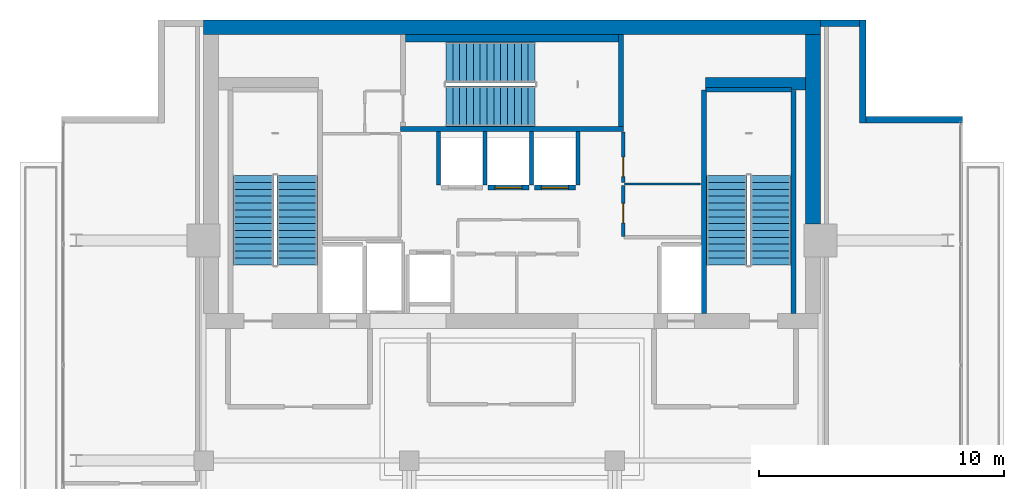
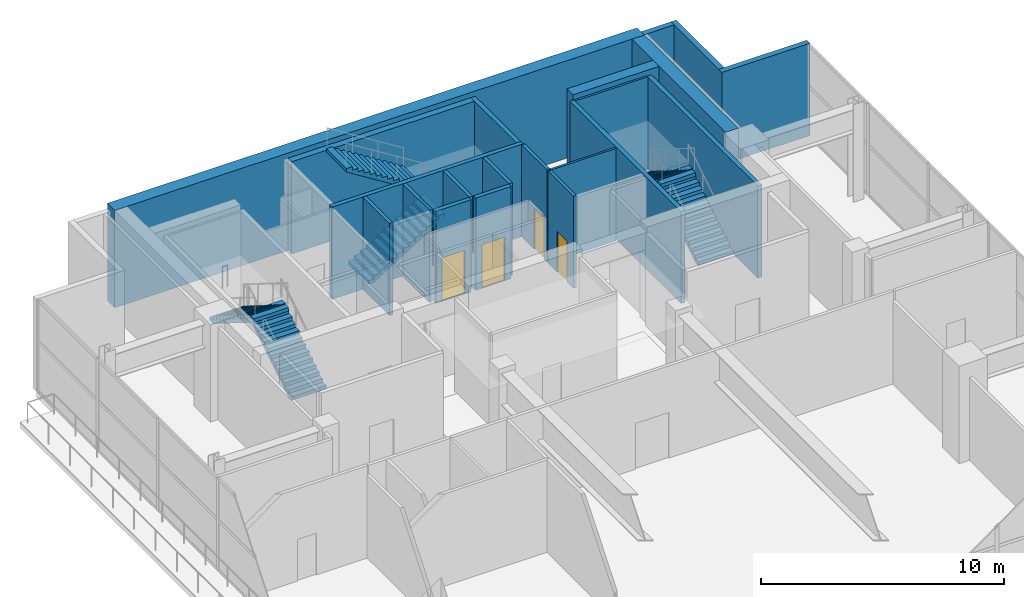
# One storey, part 18 of 22: 21 walls, 6 stair flights, 4 doors, 4 openings, 3 elements without a shape of their own.
"""IFC4 building model written with IfcOpenShell, lengths in metres."""

from ifc_helpers import new_model, si_unit, direction, frame, frame_2d, origin, place, context, subcontext, project, spatial, polyline, rectangle, outline, extrude, material, layer, layer_set, type_object, element, fill, aggregate, save


model = new_model("IFC4")

# Units and contexts
model_context = context("Model", 3, precision=1e-05, world=origin(), true_north=direction((0.0, 1.0)))
body_context = subcontext(model_context, "Body", "Model", "MODEL_VIEW")
ifc_project = project(units=[si_unit("LENGTHUNIT", "METRE"), si_unit("AREAUNIT", "SQUARE_METRE"), si_unit("VOLUMEUNIT", "CUBIC_METRE"), si_unit("PLANEANGLEUNIT", "RADIAN"), si_unit("MASSUNIT", "GRAM", prefix="KILO")], contexts=[model_context])

# Site, building, storey
site_placement = place(None, origin())
site = spatial("IfcSite", under=ifc_project, at=site_placement, CompositionType="ELEMENT")
building_placement = place(site_placement, origin())
building = spatial("IfcBuilding", under=site, at=building_placement, Name="Maruvema Waterfront Hotel and Observation Tower", CompositionType="ELEMENT")
storey_placement = place(building_placement, frame((0.0, 0.0, 354.199951171875)))
storey = spatial("IfcBuildingStorey", under=building, at=storey_placement, Name="L87", CompositionType="ELEMENT", Elevation=354.199951171875)

# Wall, opening, door
ifc_material_1 = material(Name="Twin-stud acoustic gypsum drywall", Category="gypsum")
ifc_layer_1 = layer(ifc_material_1, 0.14990234375, Name="Acoustic Corridor and Suite Demising Wall 150 mm")
ifc_layer_set_1 = layer_set([ifc_layer_1], Name="Twin-stud acoustic gypsum drywall")
wall_type_1 = type_object("IfcWallType", Name="Acoustic Corridor and Suite Demising Wall 150 mm", PredefinedType="PARTITIONING", material=ifc_layer_set_1)
wall_1_placement = place(storey_placement, frame((42.340087890625, 45.159912109375, 0.0), z_axis=(0.0, 0.0, 1.0), x_axis=(0.0, 1.0, 0.0)))
wall_1 = element("IfcWall", 1, at=wall_1_placement, inside=storey, type_object=wall_type_1, Name="L87 Freed B2 West S 021", PredefinedType="PARTITIONING", context=body_context, shape_type="SweptSolid", body=[
    extrude(rectangle(XDim=2.080078125, YDim=0.14990234375, at=frame_2d((1.0400390625, 0.0))), origin(), (0.0, 0.0, 1.0), 4.64013671875),
])
opening_1_placement = place(wall_1_placement, frame((0.550048828125, 0.0, 0.0)))
opening_1 = element("IfcOpeningElement", 2, at=opening_1_placement, cuts=wall_1, Name="Opening DR-080", PredefinedType="OPENING", context=body_context, shape_type="SweptSolid", body=[
    extrude(rectangle(XDim=0.800048828125, YDim=2.050048828125, at=frame_2d((0.39990234375, 1.02490234375))), frame((0.0, 0.0849609375, 0.0), z_axis=(0.0, -1.0, 0.0), x_axis=(1.0, 0.0, 0.0)), (0.0, 0.0, 1.0), 0.169921875),
])
ifc_material_2 = material(Name="Powder-coated steel access leaf", Category="steel")
door_type_1 = type_object("IfcDoorType", Name="Riser and Service Cupboard Door 800x2050 mm", OperationType="NOTDEFINED", PredefinedType="DOOR", material=ifc_material_2)
door_1_placement = place(opening_1_placement, frame((0.800048828125, 0.0, 0.0), z_axis=(0.0, 0.0, 1.0), x_axis=(-1.0, 0.0, 0.0)))
door_1 = element("IfcDoor", 3, at=door_1_placement, inside=storey, type_object=door_type_1, Name="L87 Butler Service Pantry Door", OperationType="SINGLE_SWING_RIGHT", OverallHeight=2.050048828125, OverallWidth=0.800048828125, PredefinedType="DOOR", context=body_context, shape_type="SweptSolid", body=[
    extrude(rectangle(XDim=0.800048828125, YDim=2.050048828125, at=frame_2d((0.39990234375, 1.02490234375))), frame((0.0, 0.02490234375, 0.0), z_axis=(0.0, -1.0, 0.0), x_axis=(1.0, 0.0, 0.0)), (0.0, 0.0, 1.0), 0.050048828125),
])
fill(opening_1, door_1)

wall_2_placement = place(storey_placement, frame((42.340087890625, 47.360107421875, 0.0), z_axis=(0.0, 0.0, 1.0), x_axis=(0.0, 1.0, 0.0)))
wall_2 = element("IfcWall", 4, at=wall_2_placement, inside=storey, type_object=wall_type_1, Name="L87 Freed B2 West N 022", PredefinedType="PARTITIONING", context=body_context, shape_type="SweptSolid", body=[
    extrude(rectangle(XDim=2.059814453125, YDim=0.14990234375, at=frame_2d((1.02978515625, 0.0))), origin(), (0.0, 0.0, 1.0), 4.64013671875),
])
opening_2_placement = place(wall_2_placement, frame((0.239990234375, 0.0, 0.0)))
opening_2 = element("IfcOpeningElement", 5, at=opening_2_placement, cuts=wall_2, Name="Opening DR-080", PredefinedType="OPENING", context=body_context, shape_type="SweptSolid", body=[
    extrude(rectangle(XDim=0.800048828125, YDim=2.050048828125, at=frame_2d((0.39990234375, 1.02490234375))), frame((0.0, 0.0849609375, 0.0), z_axis=(0.0, -1.0, 0.0), x_axis=(1.0, 0.0, 0.0)), (0.0, 0.0, 1.0), 0.169921875),
])
door_2_placement = place(opening_2_placement, frame((0.800048828125, 0.0, 0.0), z_axis=(0.0, 0.0, 1.0), x_axis=(-1.0, 0.0, 0.0)))
door_2 = element("IfcDoor", 6, at=door_2_placement, inside=storey, type_object=door_type_1, Name="L87 Core IT and Linen Store Door", OperationType="SINGLE_SWING_LEFT", OverallHeight=2.050048828125, OverallWidth=0.800048828125, PredefinedType="DOOR", context=body_context, shape_type="SweptSolid", body=[
    extrude(rectangle(XDim=0.800048828125, YDim=2.050048828125, at=frame_2d((0.39990234375, 1.02490234375))), frame((0.0, 0.02490234375, 0.0), z_axis=(0.0, -1.0, 0.0), x_axis=(1.0, 0.0, 0.0)), (0.0, 0.0, 1.0), 0.050048828125),
])
fill(opening_2, door_2)

# Walls
ifc_material_3 = material(Name="Precast concrete C45/55", Category="concrete")
ifc_layer_2 = layer(ifc_material_3, 0.300048828125, Name="Core Shaft Furring Wall 300 mm")
ifc_layer_set_2 = layer_set([ifc_layer_2], Name="Precast concrete C45/55")
wall_type_2 = type_object("IfcWallType", Name="Core Shaft Furring Wall 300 mm", PredefinedType="SOLIDWALL", material=ifc_layer_set_2)
wall_3_placement = place(storey_placement, frame((33.449951171875, 53.25, 0.0), z_axis=(0.0, 0.0, 1.0), x_axis=(1.0, 0.0, 0.0)))
element("IfcWall", 7, at=wall_3_placement, inside=storey, type_object=wall_type_2, Name="L87 Stairwell ST-02 North Furring Wall", PredefinedType="SOLIDWALL", context=body_context, shape_type="SweptSolid", body=[
    extrude(rectangle(XDim=8.699951171875, YDim=0.300048828125, at=frame_2d((4.35009765625, 0.0))), origin(), (0.0, 0.0, 1.0), 4.64013671875),
])
ifc_material_4 = material(Name="Precast concrete C45/55", Category="concrete")
ifc_layer_3 = layer(ifc_material_4, 0.199951171875, Name="Core Shaft and Stairwell Enclosure Wall 200 mm")
ifc_layer_set_3 = layer_set([ifc_layer_3], Name="Precast concrete C45/55")
wall_type_3 = type_object("IfcWallType", Name="Core Shaft and Stairwell Enclosure Wall 200 mm", PredefinedType="SOLIDWALL", material=ifc_layer_set_3)
wall_4_placement = place(storey_placement, frame((33.25, 49.550048828125, 0.0), z_axis=(0.0, 0.0, 1.0), x_axis=(1.0, 0.0, 0.0)))
element("IfcWall", 8, at=wall_4_placement, inside=storey, type_object=wall_type_3, Name="L87 Stairwell ST-02 Shaft Wall", PredefinedType="SOLIDWALL", context=body_context, shape_type="SweptSolid", body=[
    extrude(rectangle(XDim=9.10009765625, YDim=0.199951171875, at=frame_2d((4.550048828125, 0.0))), origin(), (0.0, 0.0, 1.0), 4.64013671875),
])
wall_5_placement = place(storey_placement, frame((42.25, 49.64990234375, 0.0), z_axis=(0.0, 0.0, 1.0), x_axis=(0.0, 1.0, 0.0)))
element("IfcWall", 9, at=wall_5_placement, inside=storey, type_object=wall_type_3, Name="L87 Stairwell ST-02 Shaft Wall", PredefinedType="SOLIDWALL", context=body_context, shape_type="SweptSolid", body=[
    extrude(rectangle(XDim=3.75, YDim=0.199951171875, at=frame_2d((1.875, 0.0))), origin(), (0.0, 0.0, 1.0), 4.64013671875),
])
wall_6_placement = place(storey_placement, frame((45.64990234375, 42.0, 0.0), z_axis=(0.0, 0.0, 1.0), x_axis=(0.0, 1.0, 0.0)))
element("IfcWall", 10, at=wall_6_placement, inside=storey, type_object=wall_type_3, Name="L87 Stairwell ST-03 West Shaft Wall", PredefinedType="SOLIDWALL", context=body_context, shape_type="SweptSolid", body=[
    extrude(rectangle(XDim=9.14990234375, YDim=0.199951171875, at=frame_2d((4.574951171875, 0.0))), origin(), (0.0, 0.0, 1.0), 4.64013671875),
])
wall_7_placement = place(storey_placement, frame((49.300048828125, 42.0, 0.0), z_axis=(0.0, 0.0, 1.0), x_axis=(0.0, 1.0, 0.0)))
element("IfcWall", 11, at=wall_7_placement, inside=storey, type_object=wall_type_3, Name="L87 Stairwell ST-03 Shaft Lining Wall", PredefinedType="SOLIDWALL", context=body_context, shape_type="SweptSolid", body=[
    extrude(rectangle(XDim=9.1201171875, YDim=0.199951171875, at=frame_2d((4.56005859375, 0.0))), origin(), (0.0, 0.0, 1.0), 4.64013671875),
])
wall_8_placement = place(storey_placement, frame((45.719970703125, 51.14990234375, 0.0), z_axis=(0.0, 0.0, 1.0), x_axis=(1.0, 0.0, 0.0)))
element("IfcWall", 12, at=wall_8_placement, inside=storey, type_object=wall_type_3, Name="L87 Stairwell ST-03 Shaft Lining Wall", PredefinedType="SOLIDWALL", context=body_context, shape_type="SweptSolid", body=[
    extrude(rectangle(XDim=3.5, YDim=0.199951171875, at=frame_2d((1.75, 0.0))), origin(), (0.0, 0.0, 1.0), 4.64013671875),
])

# Wall, opening, door
wall_9_placement = place(storey_placement, frame((36.81005859375, 47.14990234375, 0.0), z_axis=(0.0, 0.0, 1.0), x_axis=(1.0, 0.0, 0.0)))
wall_9 = element("IfcWall", 13, at=wall_9_placement, inside=storey, type_object=wall_type_3, Name="L87 Lift LF-13 Hoistway Front Wall", PredefinedType="SOLIDWALL", context=body_context, shape_type="SweptSolid", body=[
    extrude(rectangle(XDim=1.679931640625, YDim=0.199951171875, at=frame_2d((0.83984375, 0.0))), origin(), (0.0, 0.0, 1.0), 4.64013671875),
])
opening_3_placement = place(wall_9_placement, frame((0.2900390625, 0.0, 0.0)))
opening_3 = element("IfcOpeningElement", 14, at=opening_3_placement, cuts=wall_9, Name="Opening LD-02", PredefinedType="OPENING", context=body_context, shape_type="SweptSolid", body=[
    extrude(rectangle(XDim=1.10009765625, YDim=2.199951171875, at=frame_2d((0.550048828125, 1.10009765625))), frame((0.0, 0.10986328125, 0.0), z_axis=(0.0, -1.0, 0.0), x_axis=(1.0, 0.0, 0.0)), (0.0, 0.0, 1.0), 0.219970703125),
])
ifc_material_5 = material(Name="Brushed stainless steel Grade 316", Category="steel")
door_type_2 = type_object("IfcDoorType", Name="Shuttle Lift Sliding Landing Door 1100x2200 mm", OperationType="SLIDING_TO_RIGHT", PredefinedType="DOOR", material=ifc_material_5)
door_3_placement = place(opening_3_placement, frame((1.10009765625, 0.0, 0.0), z_axis=(0.0, 0.0, 1.0), x_axis=(-1.0, 0.0, 0.0)))
door_3 = element("IfcDoor", 15, at=door_3_placement, inside=storey, type_object=door_type_2, Name="L87 Lift LF-13 Sliding Landing Door", OperationType="SLIDING_TO_RIGHT", OverallHeight=2.199951171875, OverallWidth=1.10009765625, PredefinedType="DOOR", context=body_context, shape_type="SweptSolid", body=[
    extrude(rectangle(XDim=1.10009765625, YDim=2.199951171875, at=frame_2d((0.550048828125, 1.10009765625))), frame((0.0, 0.02490234375, 0.0), z_axis=(0.0, -1.0, 0.0), x_axis=(1.0, 0.0, 0.0)), (0.0, 0.0, 1.0), 0.050048828125),
])
fill(opening_3, door_3)

wall_10_placement = place(storey_placement, frame((38.7099609375, 47.14990234375, 0.0), z_axis=(0.0, 0.0, 1.0), x_axis=(1.0, 0.0, 0.0)))
wall_10 = element("IfcWall", 16, at=wall_10_placement, inside=storey, type_object=wall_type_3, Name="L87 Lift LF-14 Hoistway Front Wall", PredefinedType="SOLIDWALL", context=body_context, shape_type="SweptSolid", body=[
    extrude(rectangle(XDim=1.679931640625, YDim=0.199951171875, at=frame_2d((0.83984375, 0.0))), origin(), (0.0, 0.0, 1.0), 4.64013671875),
])
opening_4_placement = place(wall_10_placement, frame((0.2900390625, 0.0, 0.0)))
opening_4 = element("IfcOpeningElement", 17, at=opening_4_placement, cuts=wall_10, Name="Opening LD-02", PredefinedType="OPENING", context=body_context, shape_type="SweptSolid", body=[
    extrude(rectangle(XDim=1.10009765625, YDim=2.199951171875, at=frame_2d((0.550048828125, 1.10009765625))), frame((0.0, 0.10986328125, 0.0), z_axis=(0.0, -1.0, 0.0), x_axis=(1.0, 0.0, 0.0)), (0.0, 0.0, 1.0), 0.219970703125),
])
door_4_placement = place(opening_4_placement, frame((1.10009765625, 0.0, 0.0), z_axis=(0.0, 0.0, 1.0), x_axis=(-1.0, 0.0, 0.0)))
door_4 = element("IfcDoor", 18, at=door_4_placement, inside=storey, type_object=door_type_2, Name="L87 Lift LF-14 Sliding Landing Door", OperationType="SLIDING_TO_RIGHT", OverallHeight=2.199951171875, OverallWidth=1.10009765625, PredefinedType="DOOR", context=body_context, shape_type="SweptSolid", body=[
    extrude(rectangle(XDim=1.10009765625, YDim=2.199951171875, at=frame_2d((0.550048828125, 1.10009765625))), frame((0.0, 0.02490234375, 0.0), z_axis=(0.0, -1.0, 0.0), x_axis=(1.0, 0.0, 0.0)), (0.0, 0.0, 1.0), 0.050048828125),
])
fill(opening_4, door_4)

# Walls
ifc_material_6 = material(Name="Concrete C70/85", Category="concrete")
ifc_layer_4 = layer(ifc_material_6, 0.5, Name="Core Shear Wall 500 mm")
ifc_layer_set_4 = layer_set([ifc_layer_4], Name="Concrete C70/85")
wall_type_4 = type_object("IfcWallType", Name="Core Shear Wall 500 mm", PredefinedType="SHEAR", material=ifc_layer_set_4)
wall_11_placement = place(storey_placement, frame((45.699951171875, 51.39990234375, 0.0), z_axis=(0.0, 0.0, 1.0), x_axis=(1.0, 0.0, 0.0)))
element("IfcWall", 19, at=wall_11_placement, inside=storey, type_object=wall_type_4, Name="L87 Internal Core Shear Wall NE 500 mm", PredefinedType="SHEAR", context=body_context, shape_type="SweptSolid", body=[
    extrude(rectangle(XDim=4.10009765625, YDim=0.5, at=frame_2d((2.050048828125, 0.0))), origin(), (0.0, 0.0, 1.0), 4.900146484375),
])
ifc_material_7 = material(Name="Concrete C60/75", Category="concrete")
ifc_layer_5 = layer(ifc_material_7, 0.60009765625, Name="Core Shear Wall 600 mm")
ifc_layer_set_5 = layer_set([ifc_layer_5], Name="Concrete C60/75")
wall_type_5 = type_object("IfcWallType", Name="Core Shear Wall 600 mm", PredefinedType="SHEAR", material=ifc_layer_set_5)
wall_12_placement = place(storey_placement, frame((25.199951171875, 53.699951171875, 0.0), z_axis=(0.0, 0.0, 1.0), x_axis=(1.0, 0.0, 0.0)))
element("IfcWall", 20, at=wall_12_placement, inside=storey, type_object=wall_type_5, Name="L87 North Core Shear Wall", PredefinedType="SHEAR", context=body_context, shape_type="SweptSolid", body=[
    extrude(rectangle(XDim=25.199951171875, YDim=0.60009765625, at=frame_2d((12.60009765625, 0.0))), origin(), (0.0, 0.0, 1.0), 4.900146484375),
])
wall_13_placement = place(storey_placement, frame((50.10009765625, 45.675048828125, 0.0), z_axis=(0.0, 0.0, 1.0), x_axis=(0.0, 1.0, 0.0)))
element("IfcWall", 21, at=wall_13_placement, inside=storey, type_object=wall_type_5, Name="L87 East-North Core Shear Wall", PredefinedType="SHEAR", context=body_context, shape_type="SweptSolid", body=[
    extrude(rectangle(XDim=7.724853515625, YDim=0.60009765625, at=frame_2d((3.8623046875, 0.0))), origin(), (0.0, 0.0, 1.0), 4.900146484375),
])
ifc_material_8 = material(Name="Moisture-resistant cement-board drywall", Category="gypsum")
ifc_layer_6 = layer(ifc_material_8, 0.10009765625, Name="En-Suite Moisture-Resistant Partition 100 mm")
ifc_layer_set_6 = layer_set([ifc_layer_6], Name="Moisture-resistant cement-board drywall")
wall_type_6 = type_object("IfcWallType", Name="En-Suite Moisture-Resistant Partition 100 mm", PredefinedType="PARTITIONING", material=ifc_layer_set_6)
wall_14_placement = place(storey_placement, frame((42.39990234375, 47.300048828125, 0.0), z_axis=(0.0, 0.0, 1.0), x_axis=(1.0, 0.0, 0.0)))
element("IfcWall", 22, at=wall_14_placement, inside=storey, type_object=wall_type_6, Name="L87 Freed B2 Split 023", PredefinedType="PARTITIONING", context=body_context, shape_type="SweptSolid", body=[
    extrude(rectangle(XDim=3.10009765625, YDim=0.10009765625, at=frame_2d((1.550048828125, 0.0))), origin(), (0.0, 0.0, 1.0), 4.64013671875),
])
ifc_material_9 = material(Name="Precast concrete C45/55 with honed Pernambuco granite facing", Category="masonry")
ifc_layer_7 = layer(ifc_material_9, 0.260009765625, Name="Exterior Granite Clad Spandrel and Pier Wall 260 mm")
ifc_layer_set_7 = layer_set([ifc_layer_7], Name="Precast concrete C45/55 with honed Pernambuco granite facing")
wall_type_7 = type_object("IfcWallType", Name="Exterior Granite Clad Spandrel and Pier Wall 260 mm", PredefinedType="SOLIDWALL", material=ifc_layer_set_7)
for number, where, z_axis, x_axis, name in (
    (23, (52.1298828125, 54.0, 0.0), (0.0, 0.0, 1.0), (0.0, -1.0, 0.0), "L87 Corner Notch Granite Pier Wall NE1"),
    (24, (52.0, 49.929931640625, 0.0), (0.0, 0.0, 1.0), (1.0, 0.0, 0.0), "L87 Corner Notch Granite Pier Wall NE2"),
):
    element("IfcWall", number, at=place(storey_placement, frame(where, z_axis=z_axis, x_axis=x_axis)), inside=storey, type_object=wall_type_7, Name=name, PredefinedType="SOLIDWALL", context=body_context, shape_type="SweptSolid", body=[
        extrude(rectangle(XDim=4.199951171875, YDim=0.260009765625, at=frame_2d((2.10009765625, 0.0))), origin(), (0.0, 0.0, 1.0), 4.64013671875),
    ])
wall_15_placement = place(storey_placement, frame((52.0, 53.8701171875, 0.0), z_axis=(0.0, 0.0, 1.0), x_axis=(-1.0, 0.0, 0.0)))
element("IfcWall", 25, at=wall_15_placement, inside=storey, type_object=wall_type_7, Name="L87 North-East Core Flanking Pier Wall", PredefinedType="SOLIDWALL", context=body_context, shape_type="SweptSolid", body=[
    extrude(rectangle(XDim=1.60009765625, YDim=0.260009765625, at=frame_2d((0.800048828125, 0.0))), origin(), (0.0, 0.0, 1.0), 4.64013671875),
])
ifc_material_10 = material(Name="Precast concrete C45/55", Category="concrete")
ifc_layer_8 = layer(ifc_material_10, 0.159912109375, Name="Lift Hoistway Divider Wall 160 mm")
ifc_layer_set_8 = layer_set([ifc_layer_8], Name="Precast concrete C45/55")
wall_type_8 = type_object("IfcWallType", Name="Lift Hoistway Divider Wall 160 mm", PredefinedType="SOLIDWALL", material=ifc_layer_set_8)
for number, where, z_axis, x_axis, name in (
    (26, (34.800048828125, 47.25, 0.0), (0.0, 0.0, 1.0), (0.0, 1.0, 0.0), "L87 Hoistway Divider Wall"),
    (27, (36.699951171875, 47.25, 0.0), (0.0, 0.0, 1.0), (0.0, 1.0, 0.0), "L87 Hoistway Divider Wall"),
    (28, (38.60009765625, 47.25, 0.0), (0.0, 0.0, 1.0), (0.0, 1.0, 0.0), "L87 Hoistway Divider Wall"),
    (29, (40.5, 47.25, 0.0), (0.0, 0.0, 1.0), (0.0, 1.0, 0.0), "L87 Hoistway Divider Wall"),
):
    element("IfcWall", number, at=place(storey_placement, frame(where, z_axis=z_axis, x_axis=x_axis)), inside=storey, type_object=wall_type_8, Name=name, PredefinedType="SOLIDWALL", context=body_context, shape_type="SweptSolid", body=[
        extrude(rectangle(XDim=2.18994140625, YDim=0.159912109375, at=frame_2d((1.094970703125, 0.0))), origin(), (0.0, 0.0, 1.0), 4.64013671875),
    ])

# Stair, stair flights
ifc_material_11 = material(Name="Concrete C50/60", Category="concrete")
stair_type = type_object("IfcStairType", Name="Dogleg Exit Stair 1650 mm (28R x 175.0 mm)", PredefinedType="HALF_TURN_STAIR", material=ifc_material_11)
stair_1_placement = place(storey_placement, origin())
stair_1 = element("IfcStair", 30, at=stair_1_placement, inside=storey, type_object=stair_type, Name="L87 ST-01", PredefinedType="HALF_TURN_STAIR")
ifc_material_12 = material(Name="Concrete C50/60", Category="concrete")
stair_flight_type = type_object("IfcStairFlightType", Name="Reinforced Concrete Stair Flight 1650 mm (14R x 175.0 mm)", PredefinedType="STRAIGHT", material=ifc_material_12)
stair_flight_1_placement = place(storey_placement, frame((29.02490234375, 44.0, 0.0), z_axis=(0.0, 0.0, 1.0), x_axis=(0.0, 1.0, 0.0)))
stair_flight_1 = element("IfcStairFlight", 31, at=stair_flight_1_placement, type_object=stair_flight_type, Name="ST-01 flight 1", NumberOfRisers=14, NumberOfTreads=13, PredefinedType="STRAIGHT", RiserHeight=0.175, TreadLength=0.28, context=body_context, shape_type="SweptSolid", body=[
    extrude(outline(polyline([(0.0, 0.0), (0.0, 0.175048828125), (0.280029296875, 0.175048828125), (0.280029296875, 0.35009765625), (0.56005859375, 0.35009765625), (0.56005859375, 0.52490234375), (0.840087890625, 0.52490234375), (0.840087890625, 0.699951171875), (1.1201171875, 0.699951171875), (1.1201171875, 0.875), (1.39990234375, 0.875), (1.39990234375, 1.050048828125), (1.679931640625, 1.050048828125), (1.679931640625, 1.22509765625), (1.9599609375, 1.22509765625), (1.9599609375, 1.39990234375), (2.239990234375, 1.39990234375), (2.239990234375, 1.574951171875), (2.52001953125, 1.574951171875), (2.52001953125, 1.75), (2.800048828125, 1.75), (2.800048828125, 1.925048828125), (3.080078125, 1.925048828125), (3.080078125, 2.10009765625), (3.360107421875, 2.10009765625), (3.360107421875, 2.27490234375), (3.639892578125, 2.27490234375), (3.639892578125, 2.449951171875), (3.639892578125, 2.09814453125), (0.28271484375, 0.0), (0.0, 0.0)])), frame((0.0, 0.824951171875, 0.0), z_axis=(0.0, -1.0, 0.0), x_axis=(1.0, 0.0, 0.0)), (0.0, 0.0, 1.0), 1.64990234375),
])
stair_flight_2_placement = place(storey_placement, frame((27.22509765625, 47.639892578125, 2.449951171875), z_axis=(0.0, 0.0, 1.0), x_axis=(0.0, -1.0, 0.0)))
stair_flight_2 = element("IfcStairFlight", 32, at=stair_flight_2_placement, type_object=stair_flight_type, Name="ST-01 flight 2", NumberOfRisers=14, NumberOfTreads=13, PredefinedType="STRAIGHT", RiserHeight=0.175, TreadLength=0.28, context=body_context, shape_type="SweptSolid", body=[
    extrude(outline(polyline([(0.0, 0.0), (0.0, 0.175048828125), (0.280029296875, 0.175048828125), (0.280029296875, 0.35009765625), (0.56005859375, 0.35009765625), (0.56005859375, 0.52490234375), (0.840087890625, 0.52490234375), (0.840087890625, 0.699951171875), (1.1201171875, 0.699951171875), (1.1201171875, 0.875), (1.39990234375, 0.875), (1.39990234375, 1.050048828125), (1.679931640625, 1.050048828125), (1.679931640625, 1.22509765625), (1.9599609375, 1.22509765625), (1.9599609375, 1.39990234375), (2.239990234375, 1.39990234375), (2.239990234375, 1.574951171875), (2.52001953125, 1.574951171875), (2.52001953125, 1.75), (2.800048828125, 1.75), (2.800048828125, 1.925048828125), (3.080078125, 1.925048828125), (3.080078125, 2.10009765625), (3.360107421875, 2.10009765625), (3.360107421875, 2.27490234375), (3.639892578125, 2.27490234375), (3.639892578125, 2.449951171875), (3.639892578125, 2.09814453125), (0.28271484375, 0.0), (0.0, 0.0)])), frame((0.0, 0.824951171875, 0.0), z_axis=(0.0, -1.0, 0.0), x_axis=(1.0, 0.0, 0.0)), (0.0, 0.0, 1.0), 1.64990234375),
])
aggregate(stair_1, [stair_flight_1, stair_flight_2])

stair_2_placement = place(storey_placement, origin())
stair_2 = element("IfcStair", 33, at=stair_2_placement, inside=storey, type_object=stair_type, Name="L87 ST-02", PredefinedType="HALF_TURN_STAIR")
stair_flight_3_placement = place(storey_placement, frame((35.10009765625, 50.47509765625, 0.0), z_axis=(0.0, 0.0, 1.0), x_axis=(1.0, 0.0, 0.0)))
stair_flight_3 = element("IfcStairFlight", 34, at=stair_flight_3_placement, type_object=stair_flight_type, Name="ST-02 flight 1", NumberOfRisers=14, NumberOfTreads=13, PredefinedType="STRAIGHT", RiserHeight=0.175, TreadLength=0.28, context=body_context, shape_type="SweptSolid", body=[
    extrude(outline(polyline([(0.0, 0.0), (0.0, 0.175048828125), (0.280029296875, 0.175048828125), (0.280029296875, 0.35009765625), (0.56005859375, 0.35009765625), (0.56005859375, 0.52490234375), (0.840087890625, 0.52490234375), (0.840087890625, 0.699951171875), (1.1201171875, 0.699951171875), (1.1201171875, 0.875), (1.39990234375, 0.875), (1.39990234375, 1.050048828125), (1.679931640625, 1.050048828125), (1.679931640625, 1.22509765625), (1.9599609375, 1.22509765625), (1.9599609375, 1.39990234375), (2.239990234375, 1.39990234375), (2.239990234375, 1.574951171875), (2.52001953125, 1.574951171875), (2.52001953125, 1.75), (2.800048828125, 1.75), (2.800048828125, 1.925048828125), (3.080078125, 1.925048828125), (3.080078125, 2.10009765625), (3.360107421875, 2.10009765625), (3.360107421875, 2.27490234375), (3.639892578125, 2.27490234375), (3.639892578125, 2.449951171875), (3.639892578125, 2.09814453125), (0.28271484375, 0.0), (0.0, 0.0)])), frame((0.0, 0.824951171875, 0.0), z_axis=(0.0, -1.0, 0.0), x_axis=(1.0, 0.0, 0.0)), (0.0, 0.0, 1.0), 1.64990234375),
])
stair_flight_4_placement = place(storey_placement, frame((38.739990234375, 52.27490234375, 2.449951171875), z_axis=(0.0, 0.0, 1.0), x_axis=(-1.0, 0.0, 0.0)))
stair_flight_4 = element("IfcStairFlight", 35, at=stair_flight_4_placement, type_object=stair_flight_type, Name="ST-02 flight 2", NumberOfRisers=14, NumberOfTreads=13, PredefinedType="STRAIGHT", RiserHeight=0.175, TreadLength=0.28, context=body_context, shape_type="SweptSolid", body=[
    extrude(outline(polyline([(0.0, 0.0), (0.0, 0.175048828125), (0.280029296875, 0.175048828125), (0.280029296875, 0.35009765625), (0.56005859375, 0.35009765625), (0.56005859375, 0.52490234375), (0.840087890625, 0.52490234375), (0.840087890625, 0.699951171875), (1.1201171875, 0.699951171875), (1.1201171875, 0.875), (1.39990234375, 0.875), (1.39990234375, 1.050048828125), (1.679931640625, 1.050048828125), (1.679931640625, 1.22509765625), (1.9599609375, 1.22509765625), (1.9599609375, 1.39990234375), (2.239990234375, 1.39990234375), (2.239990234375, 1.574951171875), (2.52001953125, 1.574951171875), (2.52001953125, 1.75), (2.800048828125, 1.75), (2.800048828125, 1.925048828125), (3.080078125, 1.925048828125), (3.080078125, 2.10009765625), (3.360107421875, 2.10009765625), (3.360107421875, 2.27490234375), (3.639892578125, 2.27490234375), (3.639892578125, 2.449951171875), (3.639892578125, 2.09814453125), (0.28271484375, 0.0), (0.0, 0.0)])), frame((0.0, 0.824951171875, 0.0), z_axis=(0.0, -1.0, 0.0), x_axis=(1.0, 0.0, 0.0)), (0.0, 0.0, 1.0), 1.64990234375),
])
aggregate(stair_2, [stair_flight_3, stair_flight_4])

stair_3_placement = place(storey_placement, origin())
stair_3 = element("IfcStair", 36, at=stair_3_placement, inside=storey, type_object=stair_type, Name="L87 ST-03", PredefinedType="HALF_TURN_STAIR")
stair_flight_5_placement = place(storey_placement, frame((48.375, 44.0, 0.0), z_axis=(0.0, 0.0, 1.0), x_axis=(0.0, 1.0, 0.0)))
stair_flight_5 = element("IfcStairFlight", 37, at=stair_flight_5_placement, type_object=stair_flight_type, Name="ST-03 flight 1", NumberOfRisers=14, NumberOfTreads=13, PredefinedType="STRAIGHT", RiserHeight=0.175, TreadLength=0.28, context=body_context, shape_type="SweptSolid", body=[
    extrude(outline(polyline([(0.0, 0.0), (0.0, 0.175048828125), (0.280029296875, 0.175048828125), (0.280029296875, 0.35009765625), (0.56005859375, 0.35009765625), (0.56005859375, 0.52490234375), (0.840087890625, 0.52490234375), (0.840087890625, 0.699951171875), (1.1201171875, 0.699951171875), (1.1201171875, 0.875), (1.39990234375, 0.875), (1.39990234375, 1.050048828125), (1.679931640625, 1.050048828125), (1.679931640625, 1.22509765625), (1.9599609375, 1.22509765625), (1.9599609375, 1.39990234375), (2.239990234375, 1.39990234375), (2.239990234375, 1.574951171875), (2.52001953125, 1.574951171875), (2.52001953125, 1.75), (2.800048828125, 1.75), (2.800048828125, 1.925048828125), (3.080078125, 1.925048828125), (3.080078125, 2.10009765625), (3.360107421875, 2.10009765625), (3.360107421875, 2.27490234375), (3.639892578125, 2.27490234375), (3.639892578125, 2.449951171875), (3.639892578125, 2.09814453125), (0.28271484375, 0.0), (0.0, 0.0)])), frame((0.0, 0.824951171875, 0.0), z_axis=(0.0, -1.0, 0.0), x_axis=(1.0, 0.0, 0.0)), (0.0, 0.0, 1.0), 1.64990234375),
])
stair_flight_6_placement = place(storey_placement, frame((46.574951171875, 47.639892578125, 2.449951171875), z_axis=(0.0, 0.0, 1.0), x_axis=(0.0, -1.0, 0.0)))
stair_flight_6 = element("IfcStairFlight", 38, at=stair_flight_6_placement, type_object=stair_flight_type, Name="ST-03 flight 2", NumberOfRisers=14, NumberOfTreads=13, PredefinedType="STRAIGHT", RiserHeight=0.175, TreadLength=0.28, context=body_context, shape_type="SweptSolid", body=[
    extrude(outline(polyline([(0.0, 0.0), (0.0, 0.175048828125), (0.280029296875, 0.175048828125), (0.280029296875, 0.35009765625), (0.56005859375, 0.35009765625), (0.56005859375, 0.52490234375), (0.840087890625, 0.52490234375), (0.840087890625, 0.699951171875), (1.1201171875, 0.699951171875), (1.1201171875, 0.875), (1.39990234375, 0.875), (1.39990234375, 1.050048828125), (1.679931640625, 1.050048828125), (1.679931640625, 1.22509765625), (1.9599609375, 1.22509765625), (1.9599609375, 1.39990234375), (2.239990234375, 1.39990234375), (2.239990234375, 1.574951171875), (2.52001953125, 1.574951171875), (2.52001953125, 1.75), (2.800048828125, 1.75), (2.800048828125, 1.925048828125), (3.080078125, 1.925048828125), (3.080078125, 2.10009765625), (3.360107421875, 2.10009765625), (3.360107421875, 2.27490234375), (3.639892578125, 2.27490234375), (3.639892578125, 2.449951171875), (3.639892578125, 2.09814453125), (0.28271484375, 0.0), (0.0, 0.0)])), frame((0.0, 0.824951171875, 0.0), z_axis=(0.0, -1.0, 0.0), x_axis=(1.0, 0.0, 0.0)), (0.0, 0.0, 1.0), 1.64990234375),
])
aggregate(stair_3, [stair_flight_5, stair_flight_6])

save(model, "model.ifc")
